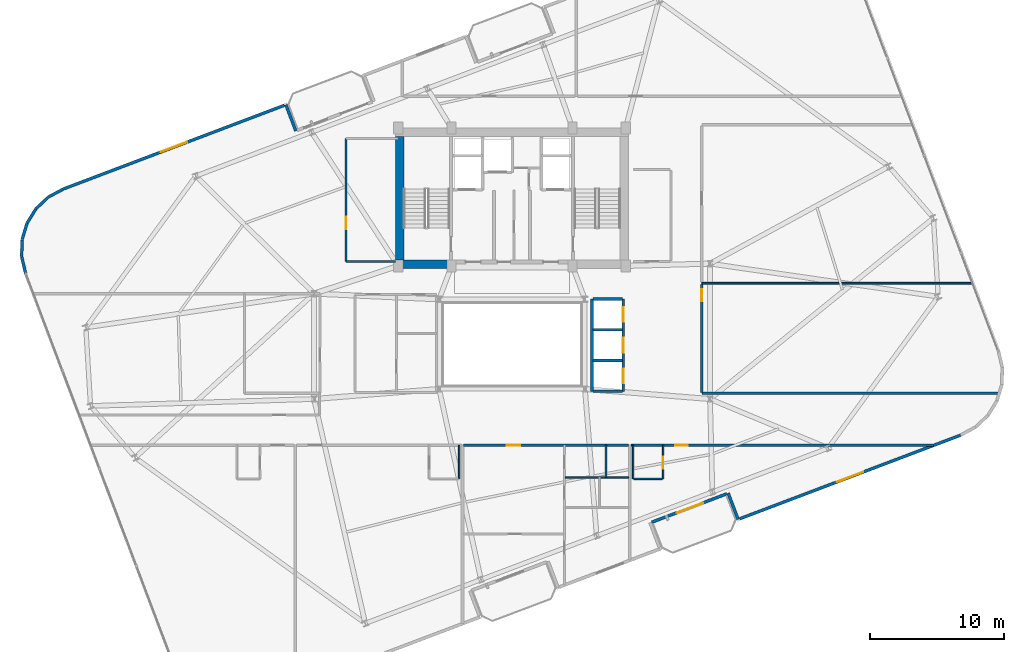
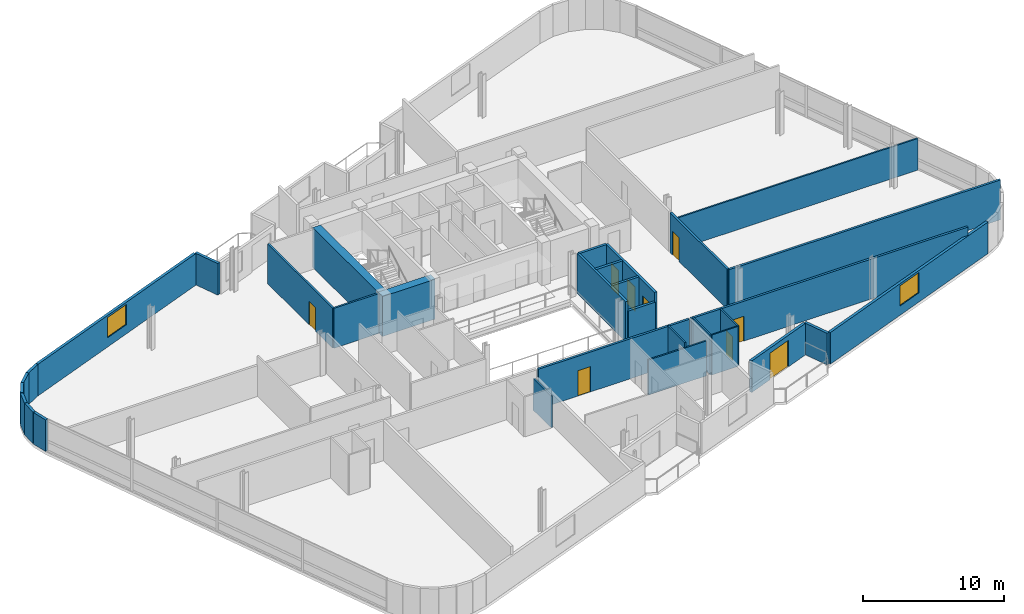
# One storey, part 15 of 19: 32 walls, 9 doors, 2 windows, 11 openings.
"""IFC4 building model written with IfcOpenShell, lengths in metres."""

from ifc_helpers import new_model, si_unit, direction, frame, frame_2d, origin, place, context, subcontext, project, spatial, rectangle, extrude, material, layer, layer_set, type_object, element, fill, save


model = new_model("IFC4")

# Units and contexts
model_context = context("Model", 3, precision=1e-05, world=origin(), true_north=direction((0.0, 1.0)))
body_context = subcontext(model_context, "Body", "Model", "MODEL_VIEW")
ifc_project = project(units=[si_unit("LENGTHUNIT", "METRE"), si_unit("AREAUNIT", "SQUARE_METRE"), si_unit("VOLUMEUNIT", "CUBIC_METRE"), si_unit("PLANEANGLEUNIT", "RADIAN"), si_unit("MASSUNIT", "GRAM", prefix="KILO")], contexts=[model_context])

# Site, building, storey
site_placement = place(None, origin())
site = spatial("IfcSite", under=ifc_project, at=site_placement, CompositionType="ELEMENT")
building_placement = place(site_placement, origin())
building = spatial("IfcBuilding", under=site, at=building_placement, Name="Varnelok Gate Tower", CompositionType="ELEMENT")
storey_placement = place(building_placement, frame((0.0, 0.0, 231.199951171875)))
storey = spatial("IfcBuildingStorey", under=building, at=storey_placement, Name="L59", CompositionType="ELEMENT", Elevation=231.199951171875)

# Wall, opening, door
ifc_material_1 = material(Name="Concrete C45/55", Category="concrete")
ifc_layer_1 = layer(ifc_material_1, 0.219970703125)
ifc_layer_set_1 = layer_set([ifc_layer_1], Name="Concrete C45/55")
wall_type_1 = type_object("IfcWallType", Name="EW-BALC-220", PredefinedType="SOLIDWALL", material=ifc_layer_set_1)
wall_1_placement = place(storey_placement, frame((55.25048828125, 11.712646484375, 0.0), z_axis=(0.0, 0.0, 1.0), x_axis=(-0.935227640088, -0.354046976001, 0.0)))
wall_1 = element("IfcWall", 1, at=wall_1_placement, inside=storey, type_object=wall_type_1, Name="L59 South Terrace Envelope Wall 2", PredefinedType="SOLIDWALL", context=body_context, shape_type="SweptSolid", body=[
    extrude(rectangle(XDim=6.0, YDim=0.219970703125, at=frame_2d((3.0, 0.0))), origin(), (0.0, 0.0, 1.0), 2.72998046875),
])
opening_1_placement = place(wall_1_placement, frame((1.887939453125, 0.0, 0.0)))
opening_1 = element("IfcOpeningElement", 2, at=opening_1_placement, cuts=wall_1, Name="Opening BD-2", PredefinedType="OPENING", context=body_context, shape_type="SweptSolid", body=[
    extrude(rectangle(XDim=2.10009765625, YDim=2.300048828125, at=frame_2d((1.050048828125, 1.14990234375))), frame((0.0, 0.119873046875, 0.0), z_axis=(0.0, -1.0, 0.0), x_axis=(1.0, 0.0, 0.0)), (0.0, 0.0, 1.0), 0.239990234375),
])
ifc_material_2 = material(Name="Anodized Aluminum Alloy 6063-T6", Category="aluminium")
door_type_1 = type_object("IfcDoorType", Name="DR-EXT-SLID2100", OperationType="SLIDING_TO_LEFT", PredefinedType="DOOR", material=ifc_material_2)
door_1_placement = place(opening_1_placement, origin())
door_1 = element("IfcDoor", 3, at=door_1_placement, inside=storey, type_object=door_type_1, Name="L59 South Balcony Glazed Door 2", OperationType="SLIDING_TO_LEFT", OverallHeight=2.300048828125, OverallWidth=2.10009765625, PredefinedType="DOOR", context=body_context, shape_type="SweptSolid", body=[
    extrude(rectangle(XDim=2.10009765625, YDim=2.300048828125, at=frame_2d((1.050048828125, 1.14990234375))), frame((0.0, 0.02490234375, 0.0), z_axis=(0.0, -1.0, 0.0), x_axis=(1.0, 0.0, 0.0)), (0.0, 0.0, 1.0), 0.050048828125),
])
fill(opening_1, door_1)

# Wall
wall_2_placement = place(storey_placement, frame((55.359130859375, 11.764404296875, 0.0), z_axis=(0.0, 0.0, 1.0), x_axis=(0.354026782794, -0.935235284334, 0.0)))
element("IfcWall", 4, at=wall_2_placement, inside=storey, type_object=wall_type_1, Name="L59 Perimeter Facade Closure Wall 12", PredefinedType="SOLIDWALL", context=body_context, shape_type="SweptSolid", body=[
    extrude(rectangle(XDim=2.099853515625, YDim=0.219970703125, at=frame_2d((1.0498046875, 0.0))), origin(), (0.0, 0.0, 1.0), 2.72998046875),
])

# Wall, opening, window
wall_3_placement = place(storey_placement, frame((56.219482421875, 9.844970703125, 0.0), z_axis=(0.0, 0.0, 1.0), x_axis=(0.935225601791, 0.354052360188, 0.0)))
wall_3 = element("IfcWall", 5, at=wall_3_placement, inside=storey, type_object=wall_type_1, Name="L59 Perimeter Facade Closure Wall 13", PredefinedType="SOLIDWALL", context=body_context, shape_type="SweptSolid", body=[
    extrude(rectangle(XDim=17.647216796875, YDim=0.219970703125, at=frame_2d((8.82373046875, 0.0))), origin(), (0.0, 0.0, 1.0), 2.72998046875),
])
opening_2_placement = place(wall_3_placement, frame((7.773681640625, 0.0, 0.800048828125)))
opening_2 = element("IfcOpeningElement", 6, at=opening_2_placement, cuts=wall_3, Name="Opening WN4", PredefinedType="OPENING", context=body_context, shape_type="SweptSolid", body=[
    extrude(rectangle(XDim=2.10009765625, YDim=1.75, at=frame_2d((1.050048828125, 0.875))), frame((0.0, 0.119873046875, 0.0), z_axis=(0.0, -1.0, 0.0), x_axis=(1.0, 0.0, 0.0)), (0.0, 0.0, 1.0), 0.239990234375),
])
ifc_material_3 = material(Name="Low-E Laminated Double Glazing IGU", Category="glass")
window_type = type_object("IfcWindowType", Name="WN-SUI-2100", PartitioningType="SINGLE_PANEL", PredefinedType="WINDOW", material=ifc_material_3)
window_1_placement = place(opening_2_placement, origin())
window_1 = element("IfcWindow", 7, at=window_1_placement, inside=storey, type_object=window_type, Name="L59 Perimeter Vision Window 13", OverallHeight=1.75, OverallWidth=2.10009765625, PartitioningType="SINGLE_PANEL", PredefinedType="WINDOW", context=body_context, shape_type="SweptSolid", body=[
    extrude(rectangle(XDim=2.10009765625, YDim=1.75, at=frame_2d((1.050048828125, 0.875))), frame((0.0, 0.030029296875, 0.0), z_axis=(0.0, -1.0, 0.0), x_axis=(1.0, 0.0, 0.0)), (0.0, 0.0, 1.0), 0.06005859375),
])
fill(opening_2, window_1)

# Wall
wall_4_placement = place(storey_placement, frame((23.041015625, 38.83544921875, 0.0), z_axis=(0.0, 0.0, 1.0), x_axis=(-0.354128469405, 0.935196785258, 0.0)))
element("IfcWall", 8, at=wall_4_placement, inside=storey, type_object=wall_type_1, Name="L59 Perimeter Facade Closure Wall 31", PredefinedType="SOLIDWALL", context=body_context, shape_type="SweptSolid", body=[
    extrude(rectangle(XDim=2.099853515625, YDim=0.219970703125, at=frame_2d((1.0498046875, 0.0))), origin(), (0.0, 0.0, 1.0), 2.72998046875),
])

# Wall, opening, window
wall_5_placement = place(storey_placement, frame((22.180419921875, 40.755126953125, 0.0), z_axis=(0.0, 0.0, 1.0), x_axis=(-0.935223867561, -0.354056941104, 0.0)))
wall_5 = element("IfcWall", 9, at=wall_5_placement, inside=storey, type_object=wall_type_1, Name="L59 Perimeter Facade Closure Wall 32", PredefinedType="SOLIDWALL", context=body_context, shape_type="SweptSolid", body=[
    extrude(rectangle(XDim=17.64697265625, YDim=0.219970703125, at=frame_2d((8.823486328125, 0.0))), origin(), (0.0, 0.0, 1.0), 2.72998046875),
])
opening_3_placement = place(wall_5_placement, frame((7.773681640625, 0.0, 0.800048828125)))
opening_3 = element("IfcOpeningElement", 10, at=opening_3_placement, cuts=wall_5, Name="Opening WN4", PredefinedType="OPENING", context=body_context, shape_type="SweptSolid", body=[
    extrude(rectangle(XDim=2.10009765625, YDim=1.75, at=frame_2d((1.050048828125, 0.875))), frame((0.0, 0.119873046875, 0.0), z_axis=(0.0, -1.0, 0.0), x_axis=(1.0, 0.0, 0.0)), (0.0, 0.0, 1.0), 0.239990234375),
])
window_2_placement = place(opening_3_placement, origin())
window_2 = element("IfcWindow", 11, at=window_2_placement, inside=storey, type_object=window_type, Name="L59 Perimeter Vision Window 32", OverallHeight=1.75, OverallWidth=2.10009765625, PartitioningType="SINGLE_PANEL", PredefinedType="WINDOW", context=body_context, shape_type="SweptSolid", body=[
    extrude(rectangle(XDim=2.10009765625, YDim=1.75, at=frame_2d((1.050048828125, 0.875))), frame((0.0, 0.030029296875, 0.0), z_axis=(0.0, -1.0, 0.0), x_axis=(1.0, 0.0, 0.0)), (0.0, 0.0, 1.0), 0.06005859375),
])
fill(opening_3, window_2)

# Walls
wall_6_placement = place(storey_placement, frame((5.654296875, 34.4951171875, 0.0), z_axis=(0.0, 0.0, 1.0), x_axis=(-0.88098842986, -0.473137809155, 0.0)))
element("IfcWall", 12, at=wall_6_placement, inside=storey, type_object=wall_type_1, Name="L59 Perimeter Facade Closure Wall 33", PredefinedType="SOLIDWALL", context=body_context, shape_type="SweptSolid", body=[
    extrude(rectangle(XDim=1.25634765625, YDim=0.219970703125, at=frame_2d((0.628173828125, 0.0))), origin(), (0.0, 0.0, 1.0), 2.72998046875),
])
wall_7_placement = place(storey_placement, frame((4.529052734375, 33.883544921875, 0.0), z_axis=(0.0, 0.0, 1.0), x_axis=(-0.728475443486, -0.685071914647, 0.0)))
element("IfcWall", 13, at=wall_7_placement, inside=storey, type_object=wall_type_1, Name="L59 Perimeter Facade Closure Wall 34", PredefinedType="SOLIDWALL", context=body_context, shape_type="SweptSolid", body=[
    extrude(rectangle(XDim=1.248779296875, YDim=0.219970703125, at=frame_2d((0.62451171875, 0.0))), origin(), (0.0, 0.0, 1.0), 2.72998046875),
])
wall_8_placement = place(storey_placement, frame((3.606201171875, 33.0068359375, 0.0), z_axis=(0.0, 0.0, 1.0), x_axis=(-0.526408468713, -0.850231806078, 0.0)))
element("IfcWall", 14, at=wall_8_placement, inside=storey, type_object=wall_type_1, Name="L59 Perimeter Facade Closure Wall 35", PredefinedType="SOLIDWALL", context=body_context, shape_type="SweptSolid", body=[
    extrude(rectangle(XDim=1.24853515625, YDim=0.219970703125, at=frame_2d((0.624267578125, 0.0))), origin(), (0.0, 0.0, 1.0), 2.72998046875),
])
wall_9_placement = place(storey_placement, frame((2.941650390625, 31.92138671875, 0.0), z_axis=(0.0, 0.0, 1.0), x_axis=(-0.288352095019, -0.957524448408, 0.0)))
element("IfcWall", 15, at=wall_9_placement, inside=storey, type_object=wall_type_1, Name="L59 Perimeter Facade Closure Wall 36", PredefinedType="SOLIDWALL", context=body_context, shape_type="SweptSolid", body=[
    extrude(rectangle(XDim=1.248779296875, YDim=0.219970703125, at=frame_2d((0.62451171875, 0.0))), origin(), (0.0, 0.0, 1.0), 2.72998046875),
])
wall_10_placement = place(storey_placement, frame((2.580810546875, 30.70068359375, 0.0), z_axis=(0.0, 0.0, 1.0), x_axis=(-0.030697576053, -0.999528718359, 0.0)))
element("IfcWall", 16, at=wall_10_placement, inside=storey, type_object=wall_type_1, Name="L59 Perimeter Facade Closure Wall 37", PredefinedType="SOLIDWALL", context=body_context, shape_type="SweptSolid", body=[
    extrude(rectangle(XDim=1.24853515625, YDim=0.219970703125, at=frame_2d((0.624267578125, 0.0))), origin(), (0.0, 0.0, 1.0), 2.72998046875),
])
wall_11_placement = place(storey_placement, frame((2.548095703125, 29.428466796875, 0.0), z_axis=(0.0, 0.0, 1.0), x_axis=(0.228941257463, -0.973440239887, 0.0)))
element("IfcWall", 17, at=wall_11_placement, inside=storey, type_object=wall_type_1, Name="L59 Perimeter Facade Closure Wall 38", PredefinedType="SOLIDWALL", context=body_context, shape_type="SweptSolid", body=[
    extrude(rectangle(XDim=1.248779296875, YDim=0.219970703125, at=frame_2d((0.62451171875, 0.0))), origin(), (0.0, 0.0, 1.0), 2.72998046875),
])

# Wall, opening, door
ifc_material_4 = material(Name="Gypsum Plasterboard Acoustic Partition", Category="gypsum")
ifc_layer_2 = layer(ifc_material_4, 0.179931640625)
ifc_layer_set_2 = layer_set([ifc_layer_2], Name="Gypsum Plasterboard Acoustic Partition")
wall_type_2 = type_object("IfcWallType", Name="PW-CORR-180", PredefinedType="PARTITIONING", material=ifc_layer_set_2)
wall_12_placement = place(storey_placement, frame((35.580078125, 15.35009765625, 0.0), z_axis=(0.0, 0.0, 1.0), x_axis=(1.0, 0.0, 0.0)))
wall_12 = element("IfcWall", 18, at=wall_12_placement, inside=storey, type_object=wall_type_2, Name="Interior Partition", PredefinedType="PARTITIONING", context=body_context, shape_type="SweptSolid", body=[
    extrude(rectangle(XDim=12.33984375, YDim=0.179931640625, at=frame_2d((6.169921875, 0.0))), origin(), (0.0, 0.0, 1.0), 3.449951171875),
])
opening_4_placement = place(wall_12_placement, frame((3.235107421875, 0.0, 0.0)))
opening_4 = element("IfcOpeningElement", 19, at=opening_4_placement, cuts=wall_12, Name="Opening D-AP", PredefinedType="OPENING", context=body_context, shape_type="SweptSolid", body=[
    extrude(rectangle(XDim=1.0, YDim=2.199951171875, at=frame_2d((0.5, 1.10009765625))), frame((0.0, 0.099853515625, 0.0), z_axis=(0.0, -1.0, 0.0), x_axis=(1.0, 0.0, 0.0)), (0.0, 0.0, 1.0), 0.199951171875),
])
ifc_material_5 = material(Name="Engineered Hardwood Timber", Category="wood")
door_type_2 = type_object("IfcDoorType", Name="DR-APT-1000", OperationType="NOTDEFINED", PredefinedType="DOOR", material=ifc_material_5)
door_2_placement = place(opening_4_placement, origin())
door_2 = element("IfcDoor", 20, at=door_2_placement, inside=storey, type_object=door_type_2, Name="L59 Apartment 3 Entrance Door", OperationType="SINGLE_SWING_RIGHT", OverallHeight=2.199951171875, OverallWidth=1.0, PredefinedType="DOOR", context=body_context, shape_type="SweptSolid", body=[
    extrude(rectangle(XDim=1.0, YDim=2.199951171875, at=frame_2d((0.5, 1.10009765625))), frame((0.0, 0.02490234375, 0.0), z_axis=(0.0, -1.0, 0.0), x_axis=(1.0, 0.0, 0.0)), (0.0, 0.0, 1.0), 0.050048828125),
])
fill(opening_4, door_2)

wall_13_placement = place(storey_placement, frame((48.080078125, 15.35009765625, 0.0), z_axis=(0.0, 0.0, 1.0), x_axis=(1.0, 0.0, 0.0)))
wall_13 = element("IfcWall", 21, at=wall_13_placement, inside=storey, type_object=wall_type_2, Name="Interior Partition", PredefinedType="PARTITIONING", context=body_context, shape_type="SweptSolid", body=[
    extrude(rectangle(XDim=22.624267578125, YDim=0.179931640625, at=frame_2d((11.31201171875, 0.0))), origin(), (0.0, 0.0, 1.0), 3.449951171875),
])
opening_5_placement = place(wall_13_placement, frame((3.324462890625, 0.0, 0.0)))
opening_5 = element("IfcOpeningElement", 22, at=opening_5_placement, cuts=wall_13, Name="Opening D-HT", PredefinedType="OPENING", context=body_context, shape_type="SweptSolid", body=[
    extrude(rectangle(XDim=0.949951171875, YDim=2.14990234375, at=frame_2d((0.47509765625, 1.074951171875))), frame((0.0, 0.099853515625, 0.0), z_axis=(0.0, -1.0, 0.0), x_axis=(1.0, 0.0, 0.0)), (0.0, 0.0, 1.0), 0.199951171875),
])
door_type_3 = type_object("IfcDoorType", Name="DR-HTL-950", OperationType="NOTDEFINED", PredefinedType="DOOR", material=ifc_material_5)
door_3_placement = place(opening_5_placement, origin())
door_3 = element("IfcDoor", 23, at=door_3_placement, inside=storey, type_object=door_type_3, Name="L59 Guest Room 04 Entrance Door", OperationType="SINGLE_SWING_LEFT", OverallHeight=2.14990234375, OverallWidth=0.949951171875, PredefinedType="DOOR", context=body_context, shape_type="SweptSolid", body=[
    extrude(rectangle(XDim=0.949951171875, YDim=2.14990234375, at=frame_2d((0.47509765625, 1.074951171875))), frame((0.0, 0.02490234375, 0.0), z_axis=(0.0, -1.0, 0.0), x_axis=(1.0, 0.0, 0.0)), (0.0, 0.0, 1.0), 0.050048828125),
])
fill(opening_5, door_3)

wall_14_placement = place(storey_placement, frame((53.389892578125, 19.300048828125, 0.0), z_axis=(0.0, 0.0, 1.0), x_axis=(0.0, 1.0, 0.0)))
wall_14 = element("IfcWall", 24, at=wall_14_placement, inside=storey, type_object=wall_type_2, Name="Interior Partition", PredefinedType="PARTITIONING", context=body_context, shape_type="SweptSolid", body=[
    extrude(rectangle(XDim=8.070068359375, YDim=0.179931640625, at=frame_2d((4.03515625, 0.0))), origin(), (0.0, 0.0, 1.0), 3.449951171875),
])
opening_6_placement = place(wall_14_placement, frame((6.800048828125, 0.0, 0.0)))
opening_6 = element("IfcOpeningElement", 25, at=opening_6_placement, cuts=wall_14, Name="Opening D-I3", PredefinedType="OPENING", context=body_context, shape_type="SweptSolid", body=[
    extrude(rectangle(XDim=0.919921875, YDim=2.050048828125, at=frame_2d((0.4599609375, 1.02490234375))), frame((0.0, 0.099853515625, 0.0), z_axis=(0.0, -1.0, 0.0), x_axis=(1.0, 0.0, 0.0)), (0.0, 0.0, 1.0), 0.199951171875),
])
door_type_4 = type_object("IfcDoorType", Name="DR-INT-920", OperationType="NOTDEFINED", PredefinedType="DOOR", material=ifc_material_5)
door_4_placement = place(opening_6_placement, origin())
door_4 = element("IfcDoor", 26, at=door_4_placement, inside=storey, type_object=door_type_4, Name="L59 East Suite 1 Door", OperationType="SINGLE_SWING_LEFT", OverallHeight=2.050048828125, OverallWidth=0.919921875, PredefinedType="DOOR", context=body_context, shape_type="SweptSolid", body=[
    extrude(rectangle(XDim=0.919921875, YDim=2.050048828125, at=frame_2d((0.4599609375, 1.02490234375))), frame((0.0, 0.02490234375, 0.0), z_axis=(0.0, -1.0, 0.0), x_axis=(1.0, 0.0, 0.0)), (0.0, 0.0, 1.0), 0.050048828125),
])
fill(opening_6, door_4)

# Walls
wall_15_placement = place(storey_placement, frame((53.389892578125, 19.239990234375, 0.0), z_axis=(0.0, 0.0, 1.0), x_axis=(1.0, 0.0, 0.0)))
element("IfcWall", 27, at=wall_15_placement, inside=storey, type_object=wall_type_2, Name="Interior Partition", PredefinedType="PARTITIONING", context=body_context, shape_type="SweptSolid", body=[
    extrude(rectangle(XDim=22.216552734375, YDim=0.179931640625, at=frame_2d((11.1083984375, 0.0))), origin(), (0.0, 0.0, 1.0), 3.449951171875),
])
ifc_layer_3 = layer(ifc_material_4, 0.114990234375)
ifc_layer_set_3 = layer_set([ifc_layer_3], Name="Gypsum Plasterboard Acoustic Partition")
wall_type_3 = type_object("IfcWallType", Name="PW-ENS-125", PredefinedType="PARTITIONING", material=ifc_layer_set_3)
wall_16_placement = place(storey_placement, frame((35.239990234375, 12.830078125, 0.0), z_axis=(0.0, 0.0, 1.0), x_axis=(0.0, 1.0, 0.0)))
element("IfcWall", 28, at=wall_16_placement, inside=storey, type_object=wall_type_3, Name="Interior Partition", PredefinedType="PARTITIONING", context=body_context, shape_type="SweptSolid", body=[
    extrude(rectangle(XDim=2.52001953125, YDim=0.114990234375, at=frame_2d((1.260009765625, 0.0))), origin(), (0.0, 0.0, 1.0), 2.739013671875),
])
wall_17_placement = place(storey_placement, frame((48.300048828125, 12.830078125, 0.0), z_axis=(0.0, 0.0, 1.0), x_axis=(1.0, 0.0, 0.0)))
element("IfcWall", 29, at=wall_17_placement, inside=storey, type_object=wall_type_3, Name="Interior Partition", PredefinedType="PARTITIONING", context=body_context, shape_type="SweptSolid", body=[
    extrude(rectangle(XDim=2.14990234375, YDim=0.114990234375, at=frame_2d((1.074951171875, 0.0))), origin(), (0.0, 0.0, 1.0), 3.449951171875),
])

# Wall, opening, door
wall_18_placement = place(storey_placement, frame((50.489990234375, 12.830078125, 0.0), z_axis=(0.0, 0.0, 1.0), x_axis=(0.0, 1.0, 0.0)))
wall_18 = element("IfcWall", 30, at=wall_18_placement, inside=storey, type_object=wall_type_3, Name="Interior Partition", PredefinedType="PARTITIONING", context=body_context, shape_type="SweptSolid", body=[
    extrude(rectangle(XDim=2.52001953125, YDim=0.114990234375, at=frame_2d((1.260009765625, 0.0))), origin(), (0.0, 0.0, 1.0), 3.449951171875),
])
opening_7_placement = place(wall_18_placement, frame((0.760009765625, 0.0, 0.0)))
opening_7 = element("IfcOpeningElement", 31, at=opening_7_placement, cuts=wall_18, Name="Opening D-WC", PredefinedType="OPENING", context=body_context, shape_type="SweptSolid", body=[
    extrude(rectangle(XDim=0.89990234375, YDim=2.050048828125, at=frame_2d((0.449951171875, 1.02490234375))), frame((0.0, 0.0673828125, 0.0), z_axis=(0.0, -1.0, 0.0), x_axis=(1.0, 0.0, 0.0)), (0.0, 0.0, 1.0), 0.135009765625),
])
door_type_5 = type_object("IfcDoorType", Name="DR-BATH-900", OperationType="NOTDEFINED", PredefinedType="DOOR", material=ifc_material_5)
door_5_placement = place(opening_7_placement, origin())
door_5 = element("IfcDoor", 32, at=door_5_placement, inside=storey, type_object=door_type_5, Name="L59 Guest En-Suite 04 Door", OperationType="SINGLE_SWING_LEFT", OverallHeight=2.050048828125, OverallWidth=0.89990234375, PredefinedType="DOOR", context=body_context, shape_type="SweptSolid", body=[
    extrude(rectangle(XDim=0.89990234375, YDim=2.050048828125, at=frame_2d((0.449951171875, 1.02490234375))), frame((0.0, 0.02490234375, 0.0), z_axis=(0.0, -1.0, 0.0), x_axis=(1.0, 0.0, 0.0)), (0.0, 0.0, 1.0), 0.050048828125),
])
fill(opening_7, door_5)

# Walls
wall_19_placement = place(storey_placement, frame((48.260009765625, 12.830078125, 0.0), z_axis=(0.0, 0.0, 1.0), x_axis=(0.0, 1.0, 0.0)))
element("IfcWall", 33, at=wall_19_placement, inside=storey, type_object=wall_type_3, Name="Interior Partition", PredefinedType="PARTITIONING", context=body_context, shape_type="SweptSolid", body=[
    extrude(rectangle(XDim=2.52001953125, YDim=0.114990234375, at=frame_2d((1.260009765625, 0.0))), origin(), (0.0, 0.0, 1.0), 3.449951171875),
])
ifc_layer_4 = layer(ifc_material_4, 0.125)
ifc_layer_set_4 = layer_set([ifc_layer_4], Name="Gypsum Plasterboard Acoustic Partition")
wall_type_4 = type_object("IfcWallType", Name="PW-PART-125", PredefinedType="PARTITIONING", material=ifc_layer_set_4)
wall_20_placement = place(storey_placement, frame((43.18994140625, 12.93994140625, 0.0), z_axis=(0.0, 0.0, 1.0), x_axis=(1.0, 0.0, 0.0)))
element("IfcWall", 34, at=wall_20_placement, inside=storey, type_object=wall_type_4, Name="Interior Partition", PredefinedType="PARTITIONING", context=body_context, shape_type="SweptSolid", body=[
    extrude(rectangle(XDim=4.72998046875, YDim=0.125, at=frame_2d((2.364990234375, 0.0))), origin(), (0.0, 0.0, 1.0), 3.01806640625),
])
wall_21_placement = place(storey_placement, frame((46.22998046875, 12.93994140625, 0.0), z_axis=(0.0, 0.0, 1.0), x_axis=(0.0, 1.0, 0.0)))
element("IfcWall", 35, at=wall_21_placement, inside=storey, type_object=wall_type_4, Name="Interior Partition", PredefinedType="PARTITIONING", context=body_context, shape_type="SweptSolid", body=[
    extrude(rectangle(XDim=2.41015625, YDim=0.125, at=frame_2d((1.205078125, 0.0))), origin(), (0.0, 0.0, 1.0), 3.449951171875),
])
wall_22_placement = place(storey_placement, frame((53.389892578125, 27.449951171875, 0.0), z_axis=(0.0, 0.0, 1.0), x_axis=(1.0, 0.0, 0.0)))
element("IfcWall", 36, at=wall_22_placement, inside=storey, type_object=wall_type_4, Name="Interior Partition", PredefinedType="PARTITIONING", context=body_context, shape_type="SweptSolid", body=[
    extrude(rectangle(XDim=20.19921875, YDim=0.125, at=frame_2d((10.099609375, 0.0))), origin(), (0.0, 0.0, 1.0), 2.739013671875),
])
ifc_layer_5 = layer(ifc_material_4, 0.14990234375)
ifc_layer_set_5 = layer_set([ifc_layer_5], Name="Gypsum Plasterboard Acoustic Partition")
wall_type_5 = type_object("IfcWallType", Name="PW-PART-150", PredefinedType="PARTITIONING", material=ifc_layer_set_5)
wall_23_placement = place(storey_placement, frame((26.780029296875, 29.080078125, 0.0), z_axis=(0.0, 0.0, 1.0), x_axis=(1.0, 0.0, 0.0)))
element("IfcWall", 37, at=wall_23_placement, inside=storey, type_object=wall_type_5, Name="Interior Partition", PredefinedType="PARTITIONING", context=body_context, shape_type="SweptSolid", body=[
    extrude(rectangle(XDim=3.699951171875, YDim=0.14990234375, at=frame_2d((1.85009765625, 0.0))), origin(), (0.0, 0.0, 1.0), 3.449951171875),
])

# Wall, opening, door
wall_24_placement = place(storey_placement, frame((26.780029296875, 29.080078125, 0.0), z_axis=(0.0, 0.0, 1.0), x_axis=(0.0, 1.0, 0.0)))
wall_24 = element("IfcWall", 38, at=wall_24_placement, inside=storey, type_object=wall_type_5, Name="Interior Partition", PredefinedType="PARTITIONING", context=body_context, shape_type="SweptSolid", body=[
    extrude(rectangle(XDim=9.179931640625, YDim=0.14990234375, at=frame_2d((4.58984375, 0.0))), origin(), (0.0, 0.0, 1.0), 3.449951171875),
])
opening_8_placement = place(wall_24_placement, frame((2.39990234375, 0.0, 0.0)))
opening_8 = element("IfcOpeningElement", 39, at=opening_8_placement, cuts=wall_24, Name="Opening D-I2", PredefinedType="OPENING", context=body_context, shape_type="SweptSolid", body=[
    extrude(rectangle(XDim=0.949951171875, YDim=2.050048828125, at=frame_2d((0.47509765625, 1.02490234375))), frame((0.0, 0.0849609375, 0.0), z_axis=(0.0, -1.0, 0.0), x_axis=(1.0, 0.0, 0.0)), (0.0, 0.0, 1.0), 0.169921875),
])
door_type_6 = type_object("IfcDoorType", Name="DR-INT-950", OperationType="NOTDEFINED", PredefinedType="DOOR", material=ifc_material_5)
door_6_placement = place(opening_8_placement, origin())
door_6 = element("IfcDoor", 40, at=door_6_placement, inside=storey, type_object=door_type_6, Name="L59 Reclaimed Housekeeping Door", OperationType="SINGLE_SWING_RIGHT", OverallHeight=2.050048828125, OverallWidth=0.949951171875, PredefinedType="DOOR", context=body_context, shape_type="SweptSolid", body=[
    extrude(rectangle(XDim=0.949951171875, YDim=2.050048828125, at=frame_2d((0.47509765625, 1.02490234375))), frame((0.0, 0.02490234375, 0.0), z_axis=(0.0, -1.0, 0.0), x_axis=(1.0, 0.0, 0.0)), (0.0, 0.0, 1.0), 0.050048828125),
])
fill(opening_8, door_6)

# Walls
ifc_material_6 = material(Name="Concrete C35/45", Category="concrete")
ifc_layer_6 = layer(ifc_material_6, 0.199951171875)
ifc_layer_set_6 = layer_set([ifc_layer_6], Name="Concrete C35/45")
wall_type_6 = type_object("IfcWallType", Name="PW-SHAFT-200", PredefinedType="PARTITIONING", material=ifc_layer_set_6)
for number, where, z_axis, x_axis, name in (
    (41, (45.239990234375, 21.675048828125, 0.0), (0.0, 0.0, 1.0), (1.0, 0.0, 0.0), "L59 PH1 Divider"),
    (42, (45.239990234375, 23.97509765625, 0.0), (0.0, 0.0, 1.0), (1.0, 0.0, 0.0), "L59 PH2 Divider"),
):
    element("IfcWall", number, at=place(storey_placement, frame(where, z_axis=z_axis, x_axis=x_axis)), inside=storey, type_object=wall_type_6, Name=name, PredefinedType="PARTITIONING", context=body_context, shape_type="SweptSolid", body=[
        extrude(rectangle(XDim=2.219970703125, YDim=0.199951171875, at=frame_2d((1.10986328125, 0.0))), origin(), (0.0, 0.0, 1.0), 3.449951171875),
    ])
wall_25_placement = place(storey_placement, frame((45.239990234375, 19.3798828125, 0.0), z_axis=(0.0, 0.0, 1.0), x_axis=(1.0, 0.0, 0.0)))
element("IfcWall", 43, at=wall_25_placement, inside=storey, type_object=wall_type_6, Name="L59 PH Bank South Wall", PredefinedType="PARTITIONING", context=body_context, shape_type="SweptSolid", body=[
    extrude(rectangle(XDim=2.219970703125, YDim=0.199951171875, at=frame_2d((1.10986328125, 0.0))), origin(), (0.0, 0.0, 1.0), 2.662109375),
])
wall_26_placement = place(storey_placement, frame((45.239990234375, 26.280029296875, 0.0), z_axis=(0.0, 0.0, 1.0), x_axis=(1.0, 0.0, 0.0)))
element("IfcWall", 44, at=wall_26_placement, inside=storey, type_object=wall_type_6, Name="L59 PH Bank North Wall", PredefinedType="PARTITIONING", context=body_context, shape_type="SweptSolid", body=[
    extrude(rectangle(XDim=2.219970703125, YDim=0.199951171875, at=frame_2d((1.10986328125, 0.0))), origin(), (0.0, 0.0, 1.0), 3.449951171875),
])
wall_27_placement = place(storey_placement, frame((45.179931640625, 19.3798828125, 0.0), z_axis=(0.0, 0.0, 1.0), x_axis=(0.0, 1.0, 0.0)))
element("IfcWall", 45, at=wall_27_placement, inside=storey, type_object=wall_type_6, Name="L59 PH Bank Atrium Wall", PredefinedType="PARTITIONING", context=body_context, shape_type="SweptSolid", body=[
    extrude(rectangle(XDim=6.900146484375, YDim=0.199951171875, at=frame_2d((3.4501953125, 0.0))), origin(), (0.0, 0.0, 1.0), 3.449951171875),
])

# Wall, openings, doors
wall_28_placement = place(storey_placement, frame((47.52001953125, 19.3798828125, 0.0), z_axis=(0.0, 0.0, 1.0), x_axis=(0.0, 1.0, 0.0)))
wall_28 = element("IfcWall", 46, at=wall_28_placement, inside=storey, type_object=wall_type_6, Name="L59 PH Bank Front Wall", PredefinedType="PARTITIONING", context=body_context, shape_type="SweptSolid", body=[
    extrude(rectangle(XDim=6.900146484375, YDim=0.199951171875, at=frame_2d((3.4501953125, 0.0))), origin(), (0.0, 0.0, 1.0), 3.449951171875),
])
opening_9_placement = place(wall_28_placement, frame((0.590087890625, 0.0, 0.0)))
opening_9 = element("IfcOpeningElement", 47, at=opening_9_placement, cuts=wall_28, Name="Opening LD-PH1", PredefinedType="OPENING", context=body_context, shape_type="SweptSolid", body=[
    extrude(rectangle(XDim=1.10009765625, YDim=2.14990234375, at=frame_2d((0.550048828125, 1.074951171875))), frame((0.0, 0.10986328125, 0.0), z_axis=(0.0, -1.0, 0.0), x_axis=(1.0, 0.0, 0.0)), (0.0, 0.0, 1.0), 0.219970703125),
])
opening_10_placement = place(wall_28_placement, frame((2.889892578125, 0.0, 0.0)))
opening_10 = element("IfcOpeningElement", 48, at=opening_10_placement, cuts=wall_28, Name="Opening LD-PH2", PredefinedType="OPENING", context=body_context, shape_type="SweptSolid", body=[
    extrude(rectangle(XDim=1.10009765625, YDim=2.14990234375, at=frame_2d((0.550048828125, 1.074951171875))), frame((0.0, 0.10986328125, 0.0), z_axis=(0.0, -1.0, 0.0), x_axis=(1.0, 0.0, 0.0)), (0.0, 0.0, 1.0), 0.219970703125),
])
opening_11_placement = place(wall_28_placement, frame((5.18994140625, 0.0, 0.0)))
opening_11 = element("IfcOpeningElement", 49, at=opening_11_placement, cuts=wall_28, Name="Opening LD-PH3", PredefinedType="OPENING", context=body_context, shape_type="SweptSolid", body=[
    extrude(rectangle(XDim=1.10009765625, YDim=2.14990234375, at=frame_2d((0.550048828125, 1.074951171875))), frame((0.0, 0.10986328125, 0.0), z_axis=(0.0, -1.0, 0.0), x_axis=(1.0, 0.0, 0.0)), (0.0, 0.0, 1.0), 0.219970703125),
])
ifc_material_7 = material(Name="Galvanized Steel Grade S350GD", Category="steel")
door_type_7 = type_object("IfcDoorType", Name="DR-LIFT-PAX1100", OperationType="SLIDING_TO_LEFT", PredefinedType="DOOR", material=ifc_material_7)
door_7_placement = place(opening_9_placement, origin())
door_7 = element("IfcDoor", 50, at=door_7_placement, inside=storey, type_object=door_type_7, Name="L59 Passenger Lift Landing Door LD-PH1", OperationType="SLIDING_TO_LEFT", OverallHeight=2.14990234375, OverallWidth=1.10009765625, PredefinedType="DOOR", context=body_context, shape_type="SweptSolid", body=[
    extrude(rectangle(XDim=1.10009765625, YDim=2.14990234375, at=frame_2d((0.550048828125, 1.074951171875))), frame((0.0, 0.02490234375, 0.0), z_axis=(0.0, -1.0, 0.0), x_axis=(1.0, 0.0, 0.0)), (0.0, 0.0, 1.0), 0.050048828125),
])
fill(opening_9, door_7)
door_8_placement = place(opening_10_placement, origin())
door_8 = element("IfcDoor", 51, at=door_8_placement, inside=storey, type_object=door_type_7, Name="L59 Passenger Lift Landing Door LD-PH2", OperationType="SLIDING_TO_LEFT", OverallHeight=2.14990234375, OverallWidth=1.10009765625, PredefinedType="DOOR", context=body_context, shape_type="SweptSolid", body=[
    extrude(rectangle(XDim=1.10009765625, YDim=2.14990234375, at=frame_2d((0.550048828125, 1.074951171875))), frame((0.0, 0.02490234375, 0.0), z_axis=(0.0, -1.0, 0.0), x_axis=(1.0, 0.0, 0.0)), (0.0, 0.0, 1.0), 0.050048828125),
])
fill(opening_10, door_8)
door_9_placement = place(opening_11_placement, origin())
door_9 = element("IfcDoor", 52, at=door_9_placement, inside=storey, type_object=door_type_7, Name="L59 Passenger Lift Landing Door LD-PH3", OperationType="SLIDING_TO_LEFT", OverallHeight=2.14990234375, OverallWidth=1.10009765625, PredefinedType="DOOR", context=body_context, shape_type="SweptSolid", body=[
    extrude(rectangle(XDim=1.10009765625, YDim=2.14990234375, at=frame_2d((0.550048828125, 1.074951171875))), frame((0.0, 0.02490234375, 0.0), z_axis=(0.0, -1.0, 0.0), x_axis=(1.0, 0.0, 0.0)), (0.0, 0.0, 1.0), 0.050048828125),
])
fill(opening_11, door_9)

# Walls
ifc_material_8 = material(Name="Concrete C60/75", Category="concrete")
ifc_layer_7 = layer(ifc_material_8, 0.64990234375)
ifc_layer_set_7 = layer_set([ifc_layer_7], Name="Concrete C60/75")
wall_type_7 = type_object("IfcWallType", Name="SW-CORE-650", PredefinedType="SHEAR", material=ifc_layer_set_7)
wall_29_placement = place(storey_placement, frame((30.804931640625, 29.199951171875, 0.0), z_axis=(0.0, 0.0, 1.0), x_axis=(0.0, 1.0, 0.0)))
element("IfcWall", 53, at=wall_29_placement, inside=storey, type_object=wall_type_7, Name="L59 Rear Core West Shear Wall", PredefinedType="SHEAR", context=body_context, shape_type="SweptSolid", body=[
    extrude(rectangle(XDim=9.219970703125, YDim=0.64990234375, at=frame_2d((4.60986328125, 0.0))), origin(), (0.0, 0.0, 1.0), 3.449951171875),
])
wall_30_placement = place(storey_placement, frame((30.47998046875, 28.875, 0.0), z_axis=(0.0, 0.0, 1.0), x_axis=(1.0, 0.0, 0.0)))
element("IfcWall", 54, at=wall_30_placement, inside=storey, type_object=wall_type_7, Name="L59 Rear Core South-West Shear Wall", PredefinedType="SHEAR", context=body_context, shape_type="SweptSolid", body=[
    extrude(rectangle(XDim=4.320068359375, YDim=0.64990234375, at=frame_2d((2.16015625, 0.0))), origin(), (0.0, 0.0, 1.0), 3.449951171875),
])

save(model, "model.ifc")
